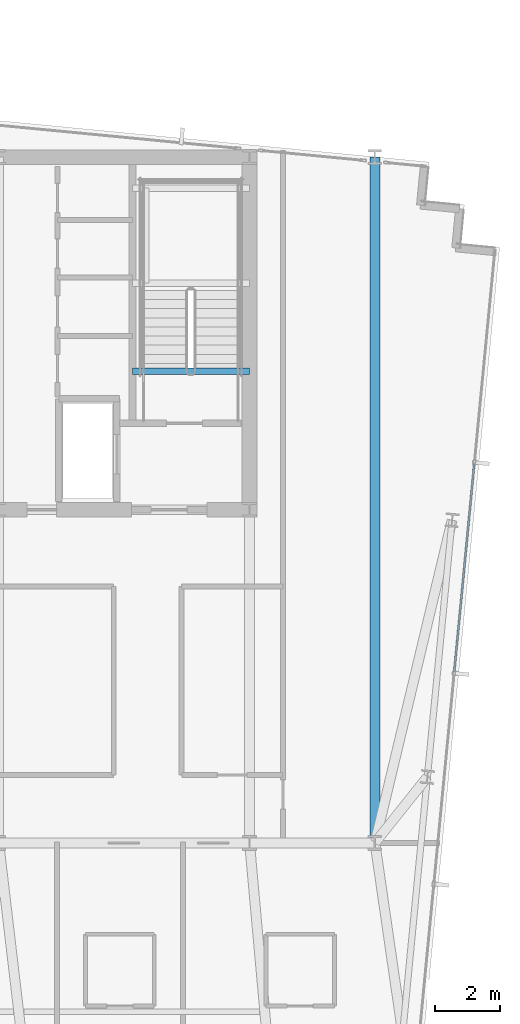
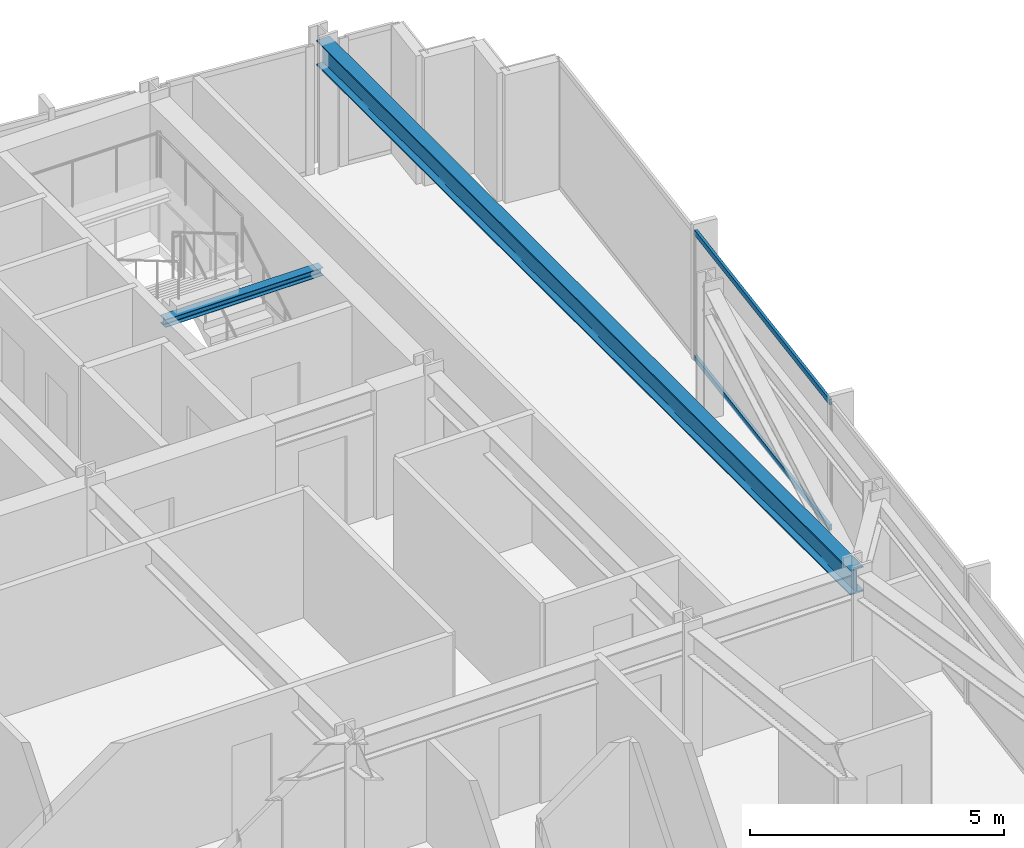
# One storey, part 19 of 37: 2 beams, 2 members, 1 element without a shape of its own.
"""IFC4 building model written with IfcOpenShell, lengths in metres."""

from ifc_helpers import new_model, si_unit, direction, frame, origin, origin_2d, place, context, subcontext, project, spatial, hollow_rectangle, i_section, extrude, material, material_profile, profile_set, type_object, element, aggregate, save


model = new_model("IFC4")

# Units and contexts
model_context = context("Model", 3, precision=1e-05, world=origin(), true_north=direction((0.0, 1.0)))
body_context = subcontext(model_context, "Body", "Model", "MODEL_VIEW")
ifc_project = project(units=[si_unit("LENGTHUNIT", "METRE"), si_unit("AREAUNIT", "SQUARE_METRE"), si_unit("VOLUMEUNIT", "CUBIC_METRE"), si_unit("PLANEANGLEUNIT", "RADIAN"), si_unit("MASSUNIT", "GRAM", prefix="KILO")], contexts=[model_context])

# Site, building, storey
site_placement = place(None, origin())
site = spatial("IfcSite", under=ifc_project, at=site_placement, CompositionType="ELEMENT")
building_placement = place(site_placement, origin())
building = spatial("IfcBuilding", under=site, at=building_placement, Name="Yelkora Congress Tower", CompositionType="ELEMENT")
storey_placement = place(building_placement, frame((0.0, 0.0, 158.89990234375)))
storey = spatial("IfcBuildingStorey", under=building, at=storey_placement, Name="L43", CompositionType="ELEMENT", Elevation=158.89990234375)

# Beams
ifc_material_1 = material(Name="Steel S355J2", Category="steel")
ifc_material_profile_1 = material_profile(ifc_material_1, i_section(OverallWidth=0.300048828125, OverallDepth=0.60009765625, WebThickness=0.015380859375, FlangeThickness=0.030029296875, FilletRadius=0.027099609375, at=origin_2d()), Name="HEB 600")
ifc_profile_set_1 = profile_set([ifc_material_profile_1], Name="Steel S355J2")
beam_type_1 = type_object("IfcBeamType", Name="BM-GIRD-HEB600", PredefinedType="BEAM", material=ifc_profile_set_1)
beam_1_placement = place(storey_placement, frame((57.60009765625, 25.199951171875, 2.780029296875), z_axis=(0.0, 1.0, 0.0), x_axis=(-1.0, 0.0, 0.0)))
element("IfcBeam", 1, at=beam_1_placement, inside=storey, type_object=beam_type_1, Name="L43 Neck Flank Girder MC-F2", PredefinedType="BEAM", context=body_context, shape_type="SweptSolid", body=[
    extrude(i_section(OverallWidth=0.300048828125, OverallDepth=0.60009765625, WebThickness=0.015380859375, FlangeThickness=0.030029296875, FilletRadius=0.027099609375, at=origin_2d()), origin(), (0.0, 0.0, 1.0), 21.0),
])
ifc_material_profile_2 = material_profile(ifc_material_1, i_section(OverallWidth=0.199951171875, OverallDepth=0.18994140625, WebThickness=0.006591796875, FlangeThickness=0.010009765625, FilletRadius=0.01806640625, at=origin_2d()), Name="HEA 200")
ifc_profile_set_2 = profile_set([ifc_material_profile_2], Name="Steel S355J2")
beam_type_2 = type_object("IfcBeamType", Name="BM-LAND-HEA200", PredefinedType="BEAM", material=ifc_profile_set_2)
beam_2_placement = place(storey_placement, frame((50.179931640625, 39.639892578125, 2.85400390625), z_axis=(1.0, 0.0, 0.0), x_axis=(0.0, 1.0, 0.0)))
element("IfcBeam", 2, at=beam_2_placement, inside=storey, type_object=beam_type_2, Name="ST-02 L43 Floor Arrival Stringer Header Beam", PredefinedType="BEAM", context=body_context, shape_type="SweptSolid", body=[
    extrude(i_section(OverallWidth=0.199951171875, OverallDepth=0.18994140625, WebThickness=0.006591796875, FlangeThickness=0.010009765625, FilletRadius=0.01806640625, at=origin_2d()), origin(), (0.0, 0.0, 1.0), 3.580078125),
])

# Curtain wall, members
ifc_material_2 = material(Name="Anodised aluminium and insulated glass", Category="aluminium")
curtain_wall_type = type_object("IfcCurtainWallType", Name="CW-SYS-B3", PredefinedType="NOTDEFINED", material=ifc_material_2)
curtain_wall_placement = place(storey_placement, origin())
curtain_wall = element("IfcCurtainWall", 3, at=curtain_wall_placement, inside=storey, type_object=curtain_wall_type, Name="L43 Unitised Curtain Wall 15", PredefinedType="NOTDEFINED")
ifc_material_3 = material(Name="Anodised aluminium 6063-T6", Category="aluminium")
ifc_material_profile_3 = material_profile(ifc_material_3, hollow_rectangle(XDim=0.06005859375, YDim=0.1298828125, WallThickness=0.00390625, at=origin_2d()), Name="ALU 60x130x4")
ifc_profile_set_3 = profile_set([ifc_material_profile_3], Name="Anodised aluminium 6063-T6")
member_type = type_object("IfcMemberType", Name="MEM-TR-B3", PredefinedType="USERDEFINED", material=ifc_profile_set_3)
member_1_placement = place(storey_placement, frame((60.642822265625, 36.81494140625, 0.030029296875), z_axis=(-0.095843682057, -0.995396397728, 0.0), x_axis=(0.995396397728, -0.095843682057, 0.0)))
member_1 = element("IfcMember", 4, at=member_1_placement, type_object=member_type, Name="CW-B3 transom 2.1", ObjectType="TRANSOM", PredefinedType="USERDEFINED", context=body_context, shape_type="SweptSolid", body=[
    extrude(hollow_rectangle(XDim=0.06005859375, YDim=0.1298828125, WallThickness=0.00390625, at=origin_2d()), origin(), (0.0, 0.0, 1.0), 6.4140625),
])
member_2_placement = place(storey_placement, frame((60.642822265625, 36.81494140625, 3.050048828125), z_axis=(-0.095843682057, -0.995396397728, 0.0), x_axis=(0.995396397728, -0.095843682057, 0.0)))
member_2 = element("IfcMember", 5, at=member_2_placement, type_object=member_type, Name="CW-B3 transom 2.2", ObjectType="TRANSOM", PredefinedType="USERDEFINED", context=body_context, shape_type="SweptSolid", body=[
    extrude(hollow_rectangle(XDim=0.06005859375, YDim=0.1298828125, WallThickness=0.00390625, at=origin_2d()), origin(), (0.0, 0.0, 1.0), 6.4140625),
])
aggregate(curtain_wall, [member_1, member_2])

save(model, "model.ifc")
